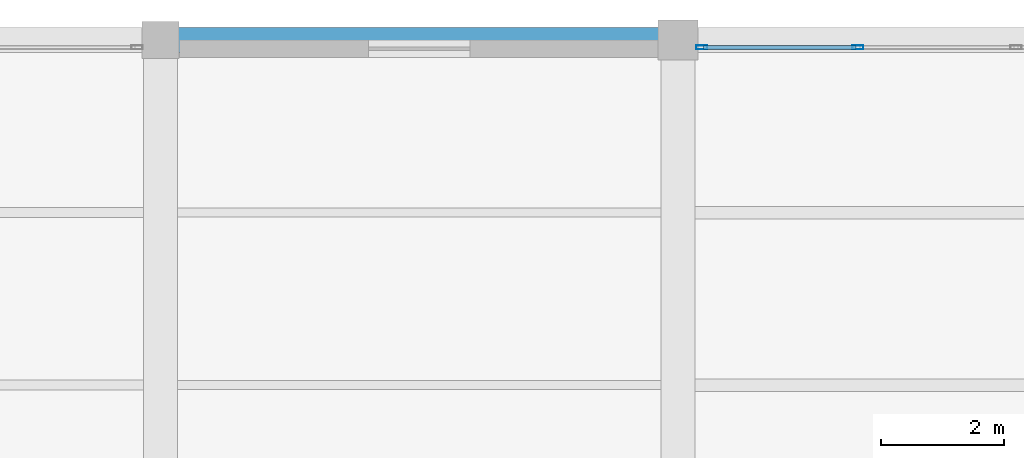
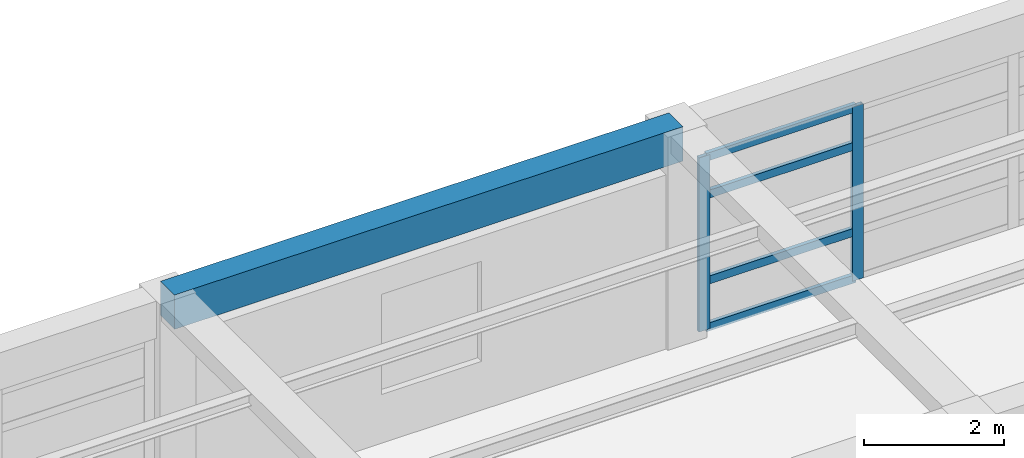
# One storey, part 18 of 26: 6 members, 1 beam, 1 element without a shape of its own.
"""IFC4 building model written with IfcOpenShell, lengths in metres."""

import ifcopenshell
import ifcopenshell.guid

model = None  # the IFC model being written
_history = None  # IfcOwnerHistory: only IFC2X3 demands one
_inside = {}  # id of a spatial element -> (the spatial element, [elements in it])
_under = {}  # id of a project, library or spatial element -> (it, [spatial elements below it])
_declared = {}  # id of a project -> (the project, [libraries it declares])
_typed = {}  # id of a type object -> (the type object, [elements of that type])
_made_of = {}  # id of a material, layer set ... -> (it, [elements and type objects made of it])


def new_model(schema):
    """Start an empty IFC model of exactly this schema.

    Asked for "IFC4X3", IfcOpenShell would pick the latest addendum, in which some entities
    have other attributes; the version numbers below select the first issue.
    IFC2X3 requires an IfcOwnerHistory on every rooted entity: one is made here for all.
    """
    global model, _history
    if schema == "IFC4X3":
        model = ifcopenshell.file(schema_version=(4, 3, 0, 0))
    else:
        model = ifcopenshell.file(schema=schema)
    _inside.clear()
    _under.clear()
    _declared.clear()
    _typed.clear()
    _made_of.clear()
    _history = None
    if model.schema == "IFC2X3":
        org = make("IfcOrganization", Name="unknown")
        user = make(
            "IfcPersonAndOrganization",
            ThePerson=make("IfcPerson", FamilyName="unknown"),
            TheOrganization=org,
        )
        app = make(
            "IfcApplication",
            ApplicationDeveloper=org,
            Version="unknown",
            ApplicationFullName="unknown",
            ApplicationIdentifier="unknown",
        )
        _history = make(
            "IfcOwnerHistory",
            OwningUser=user,
            OwningApplication=app,
            ChangeAction="ADDED",
            CreationDate=0,
        )
    return model


def make(cls, **values):
    """One entity of the class cls with the attributes given. An attribute that is None is left unset."""
    return model.create_entity(
        cls, **{name: value for name, value in values.items() if value is not None}
    )


def rooted(cls, **values):
    """An entity with a GlobalId (a new one), such as an element, a storey or a relation."""
    return make(cls, GlobalId=ifcopenshell.guid.new(), OwnerHistory=_history, **values)


def si_unit(unit_type, name, prefix=None):
    """IfcSIUnit, for example si_unit("LENGTHUNIT", "METRE", prefix="MILLI")."""
    return make("IfcSIUnit", UnitType=unit_type, Prefix=prefix, Name=name)


def assignment(units):
    """IfcUnitAssignment: the units of a project."""
    return None if units is None else make("IfcUnitAssignment", Units=units)


def point(xyz):
    """IfcCartesianPoint."""
    return None if xyz is None else make("IfcCartesianPoint", Coordinates=xyz)


def direction(xyz):
    """IfcDirection."""
    return None if xyz is None else make("IfcDirection", DirectionRatios=xyz)


def frame(location, z_axis=None, x_axis=None):
    """IfcAxis2Placement3D, a coordinate frame: its origin and axes. An axis left out is left unset."""
    return make(
        "IfcAxis2Placement3D",
        Location=point(location),
        Axis=direction(z_axis),
        RefDirection=direction(x_axis),
    )


def frame_2d(location, x_axis=None):
    """IfcAxis2Placement2D, a coordinate frame in the plane: its origin and x axis."""
    return make(
        "IfcAxis2Placement2D", Location=point(location), RefDirection=direction(x_axis)
    )


def origin():
    """The frame at (0, 0, 0) with its axes left unset."""
    return frame((0.0, 0.0, 0.0))


def origin_2d():
    """The frame at (0, 0) in the plane with its x axis left unset."""
    return frame_2d((0.0, 0.0))


def place(relative_to, where):
    """IfcLocalPlacement: puts the frame where relative to a parent placement (None: the world)."""
    return make(
        "IfcLocalPlacement", PlacementRelTo=relative_to, RelativePlacement=where
    )


def context(
    kind, dimensions, precision=None, world=None, true_north=None, identifier=None
):
    """IfcGeometricRepresentationContext, for example the 3D "Model" context."""
    return make(
        "IfcGeometricRepresentationContext",
        ContextIdentifier=identifier,
        ContextType=kind,
        CoordinateSpaceDimension=dimensions,
        Precision=precision,
        WorldCoordinateSystem=world,
        TrueNorth=true_north,
    )


def subcontext(parent, identifier, kind, view, scale=None):
    """IfcGeometricRepresentationSubContext, for example "Body" below "Model"."""
    return make(
        "IfcGeometricRepresentationSubContext",
        ContextIdentifier=identifier,
        ContextType=kind,
        ParentContext=parent,
        TargetScale=scale,
        TargetView=view,
    )


def project(units=None, contexts=None):
    """IfcProject with its units and contexts."""
    return rooted(
        "IfcProject",
        Name="project",
        RepresentationContexts=contexts,
        UnitsInContext=assignment(units),
    )


def spatial(cls, under=None, at=None, **own):
    """A site, building, storey or space (cls), placed at a placement, below another one or the project."""
    s = rooted(cls, ObjectPlacement=at, **own)
    if under is not None:
        _under.setdefault(under.id(), (under, []))[1].append(s)
    return s


def profile(cls, at=None, kind="AREA", **sizes):
    """A parametric profile (cls). Its sizes go by their IFC names, for example OverallWidth=200.0."""
    return make(cls, ProfileType=kind, Position=at, **sizes)


def rectangle(**sizes):
    """IfcRectangleProfileDef."""
    return profile("IfcRectangleProfileDef", **sizes)


def hollow_rectangle(**sizes):
    """IfcRectangleHollowProfileDef."""
    return profile("IfcRectangleHollowProfileDef", **sizes)


def extrude(swept, where, along, depth):
    """IfcExtrudedAreaSolid: the profile swept, set in the frame where, extruded along a direction by depth."""
    return make(
        "IfcExtrudedAreaSolid",
        SweptArea=swept,
        Position=where,
        ExtrudedDirection=direction(along),
        Depth=depth,
    )


def shape(context_of_items, identifier, shape_type, items):
    """IfcShapeRepresentation: the items that make up one representation, for example the "Body"."""
    return make(
        "IfcShapeRepresentation",
        ContextOfItems=context_of_items,
        RepresentationIdentifier=identifier,
        RepresentationType=shape_type,
        Items=items,
    )


def material(Name=None, Category=None):
    """IfcMaterial."""
    return make("IfcMaterial", Name=Name, Category=Category)


def material_profile(
    of_material, cross_section, Name=None, Category=None, Priority=None
):
    """IfcMaterialProfile: a cross section and its material."""
    return make(
        "IfcMaterialProfile",
        Name=Name,
        Material=of_material,
        Profile=cross_section,
        Priority=Priority,
        Category=Category,
    )


def profile_set(profiles, Name=None, composite=None):
    """IfcMaterialProfileSet."""
    return make(
        "IfcMaterialProfileSet",
        Name=Name,
        MaterialProfiles=profiles,
        CompositeProfile=composite,
    )


def made_of(thing, what):
    """Note that an element or type object is made of a material, layer set ...; save() writes the relation."""
    if what is not None:
        _made_of.setdefault(what.id(), (what, []))[1].append(thing)
    return thing


def type_object(cls, material=None, **own):
    """A type object (cls), such as IfcWallType, which elements share."""
    return made_of(rooted(cls, **own), material)


def element(
    cls,
    number,
    at=None,
    inside=None,
    cuts=None,
    type_object=None,
    material=None,
    context=None,
    identifier="Body",
    shape_type=None,
    held_by="IfcProductDefinitionShape",
    body=None,
    shapes=None,
    **own,
):
    """One element of the class cls, such as IfcWall. Its Tag is "e" and its number.

    at: its placement. inside: the storey or other place that contains it. cuts: it is an
    opening in that element (IfcRelVoidsElement). A single representation is given by context,
    identifier, shape_type and body (its items); several are given by shapes. held_by: the class
    of the entity that holds the representations. save() writes the other relations.
    """
    e = rooted(cls, Tag="e%d" % number, ObjectPlacement=at, **own)
    if body is not None:
        shapes = [shape(context, identifier, shape_type, body)]
    if shapes is not None:
        e.Representation = make(held_by, Representations=shapes)
    if inside is not None:
        _inside.setdefault(inside.id(), (inside, []))[1].append(e)
    if cuts is not None:
        rooted(
            "IfcRelVoidsElement", RelatingBuildingElement=cuts, RelatedOpeningElement=e
        )
    if type_object is not None:
        _typed.setdefault(type_object.id(), (type_object, []))[1].append(e)
    return made_of(e, material)


def aggregate(whole, parts):
    """IfcRelAggregates: a whole, such as a stair, and the parts it consists of."""
    return rooted("IfcRelAggregates", RelatingObject=whole, RelatedObjects=parts)


def save(model, path):
    """Write the relations noted so far, then the file.

    IfcRelAggregates (storeys below a building ...), IfcRelContainedInSpatialStructure (elements
    in a storey), IfcRelDefinesByType, IfcRelAssociatesMaterial and IfcRelDeclares: one each for
    every whole, place, type object, material and project.
    """
    for whole, parts in _under.values():
        aggregate(whole, parts)
    for where, things in _inside.values():
        rooted(
            "IfcRelContainedInSpatialStructure",
            RelatedElements=things,
            RelatingStructure=where,
        )
    for kind, things in _typed.values():
        rooted("IfcRelDefinesByType", RelatedObjects=things, RelatingType=kind)
    for what, things in _made_of.values():
        rooted("IfcRelAssociatesMaterial", RelatedObjects=things, RelatingMaterial=what)
    for by, libraries in _declared.values():
        rooted("IfcRelDeclares", RelatingContext=by, RelatedDefinitions=libraries)
    model.write(path)


model = new_model("IFC4")

# Units and contexts
model_context = context("Model", 3, precision=1e-05, world=origin(), true_north=direction((0.0, 1.0)))
body_context = subcontext(model_context, "Body", "Model", "MODEL_VIEW")
ifc_project = project(units=[si_unit("LENGTHUNIT", "METRE"), si_unit("AREAUNIT", "SQUARE_METRE"), si_unit("VOLUMEUNIT", "CUBIC_METRE"), si_unit("PLANEANGLEUNIT", "RADIAN"), si_unit("MASSUNIT", "GRAM", prefix="KILO")], contexts=[model_context])

# Site, building, storey
site_placement = place(None, origin())
site = spatial("IfcSite", under=ifc_project, at=site_placement, CompositionType="ELEMENT")
building_placement = place(site_placement, origin())
building = spatial("IfcBuilding", under=site, at=building_placement, Name="Almacenes y Pasaje Nevantli", CompositionType="ELEMENT")
storey_placement = place(building_placement, frame((0.0, 0.0, 46.699951171875)))
storey = spatial("IfcBuildingStorey", under=building, at=storey_placement, Name="L11", CompositionType="ELEMENT", Elevation=46.699951171875)

# Beam
ifc_material_1 = material(Name="Concrete C35/45", Category="concrete")
ifc_material_profile_1 = material_profile(ifc_material_1, rectangle(XDim=0.39990234375, YDim=0.60009765625, at=origin_2d()), Name="RC-BM-400x600")
ifc_profile_set_1 = profile_set([ifc_material_profile_1], Name="Concrete C35/45")
beam_type = type_object("IfcBeamType", Name="BM-RC-400x600", PredefinedType="SPANDREL", material=ifc_profile_set_1)
beam_placement = place(storey_placement, frame((126.0, 100.800048828125, 3.420166015625), z_axis=(1.0, 0.0, 0.0), x_axis=(0.0, 1.0, 0.0)))
element("IfcBeam", 1, at=beam_placement, inside=storey, type_object=beam_type, Name="L11 East-West Reinforced Concrete Beam #3865", PredefinedType="SPANDREL", context=body_context, shape_type="SweptSolid", body=[
    extrude(rectangle(XDim=0.39990234375, YDim=0.60009765625, at=origin_2d()), origin(), (0.0, 0.0, 1.0), 8.39990234375),
])

# Curtain wall, members
ifc_material_2 = material(Name="Thermally Broken Aluminium and Low-E Glass", Category="aluminium")
curtain_wall_type = type_object("IfcCurtainWallType", Name="CW-UNIT-TOWER", PredefinedType="USERDEFINED", material=ifc_material_2)
curtain_wall_placement = place(storey_placement, origin())
curtain_wall = element("IfcCurtainWall", 2, at=curtain_wall_placement, inside=storey, type_object=curtain_wall_type, Name="L11 Tower North Boulevard Unitized Curtain Wall Bay 17", ObjectType="UNITIZED CURTAIN WALL", PredefinedType="USERDEFINED")
ifc_material_3 = material(Name="Thermally Broken Anodized Aluminium", Category="aluminium")
ifc_material_profile_2 = material_profile(ifc_material_3, hollow_rectangle(XDim=0.06494140625, YDim=0.179931640625, WallThickness=0.00390625, at=origin_2d()), Name="ALU-MUL-65x180")
ifc_profile_set_2 = profile_set([ifc_material_profile_2], Name="Thermally Broken Anodized Aluminium")
member_type_1 = type_object("IfcMemberType", Name="CW-MUL-200", PredefinedType="MULLION", material=ifc_profile_set_2)
member_1_placement = place(storey_placement, frame((134.782470703125, 100.679931640625, 0.0), z_axis=(0.0, 0.0, 1.0), x_axis=(0.0, 1.0, 0.0)))
member_1 = element("IfcMember", 3, at=member_1_placement, type_object=member_type_1, Name="CW-L11-152 mullion 1", PredefinedType="MULLION", context=body_context, shape_type="SweptSolid", body=[
    extrude(hollow_rectangle(XDim=0.06494140625, YDim=0.179931640625, WallThickness=0.00390625, at=origin_2d()), origin(), (0.0, 0.0, 1.0), 3.0400390625),
])
member_2_placement = place(storey_placement, frame((137.316650390625, 100.679931640625, 0.0), z_axis=(0.0, 0.0, 1.0), x_axis=(0.0, 1.0, 0.0)))
member_2 = element("IfcMember", 4, at=member_2_placement, type_object=member_type_1, Name="CW-L11-152 mullion 2", PredefinedType="MULLION", context=body_context, shape_type="SweptSolid", body=[
    extrude(hollow_rectangle(XDim=0.06494140625, YDim=0.179931640625, WallThickness=0.00390625, at=origin_2d()), origin(), (0.0, 0.0, 1.0), 3.0400390625),
])
ifc_material_4 = material(Name="Thermally Broken Anodized Aluminium", Category="aluminium")
ifc_material_profile_3 = material_profile(ifc_material_4, hollow_rectangle(XDim=0.06494140625, YDim=0.139892578125, WallThickness=0.00390625, at=origin_2d()), Name="ALU-TRN-65x140")
ifc_profile_set_3 = profile_set([ifc_material_profile_3], Name="Thermally Broken Anodized Aluminium")
member_type_2 = type_object("IfcMemberType", Name="CW-TRN-150", PredefinedType="USERDEFINED", material=ifc_profile_set_3)
member_3_placement = place(storey_placement, frame((134.81494140625, 100.679931640625, 0.032470703125), z_axis=(1.0, 0.0, 0.0), x_axis=(0.0, 1.0, 0.0)))
member_3 = element("IfcMember", 5, at=member_3_placement, type_object=member_type_2, Name="CW-L11-152 transom 1.1", ObjectType="TRANSOM", PredefinedType="USERDEFINED", context=body_context, shape_type="SweptSolid", body=[
    extrude(hollow_rectangle(XDim=0.06494140625, YDim=0.139892578125, WallThickness=0.00390625, at=origin_2d()), origin(), (0.0, 0.0, 1.0), 2.46923828125),
])
member_4_placement = place(storey_placement, frame((134.81494140625, 100.679931640625, 0.85009765625), z_axis=(1.0, 0.0, 0.0), x_axis=(0.0, 1.0, 0.0)))
member_4 = element("IfcMember", 6, at=member_4_placement, type_object=member_type_2, Name="CW-L11-152 transom 1.2", ObjectType="TRANSOM", PredefinedType="USERDEFINED", context=body_context, shape_type="SweptSolid", body=[
    extrude(hollow_rectangle(XDim=0.06494140625, YDim=0.139892578125, WallThickness=0.00390625, at=origin_2d()), origin(), (0.0, 0.0, 1.0), 2.46923828125),
])
member_5_placement = place(storey_placement, frame((134.81494140625, 100.679931640625, 2.35009765625), z_axis=(1.0, 0.0, 0.0), x_axis=(0.0, 1.0, 0.0)))
member_5 = element("IfcMember", 7, at=member_5_placement, type_object=member_type_2, Name="CW-L11-152 transom 1.3", ObjectType="TRANSOM", PredefinedType="USERDEFINED", context=body_context, shape_type="SweptSolid", body=[
    extrude(hollow_rectangle(XDim=0.06494140625, YDim=0.139892578125, WallThickness=0.00390625, at=origin_2d()), origin(), (0.0, 0.0, 1.0), 2.46923828125),
])
member_6_placement = place(storey_placement, frame((134.81494140625, 100.679931640625, 3.007568359375), z_axis=(1.0, 0.0, 0.0), x_axis=(0.0, 1.0, 0.0)))
member_6 = element("IfcMember", 8, at=member_6_placement, type_object=member_type_2, Name="CW-L11-152 transom 1.4", ObjectType="TRANSOM", PredefinedType="USERDEFINED", context=body_context, shape_type="SweptSolid", body=[
    extrude(hollow_rectangle(XDim=0.06494140625, YDim=0.139892578125, WallThickness=0.00390625, at=origin_2d()), origin(), (0.0, 0.0, 1.0), 2.46923828125),
])
aggregate(curtain_wall, [member_1, member_2, member_3, member_4, member_5, member_6])

save(model, "model.ifc")
